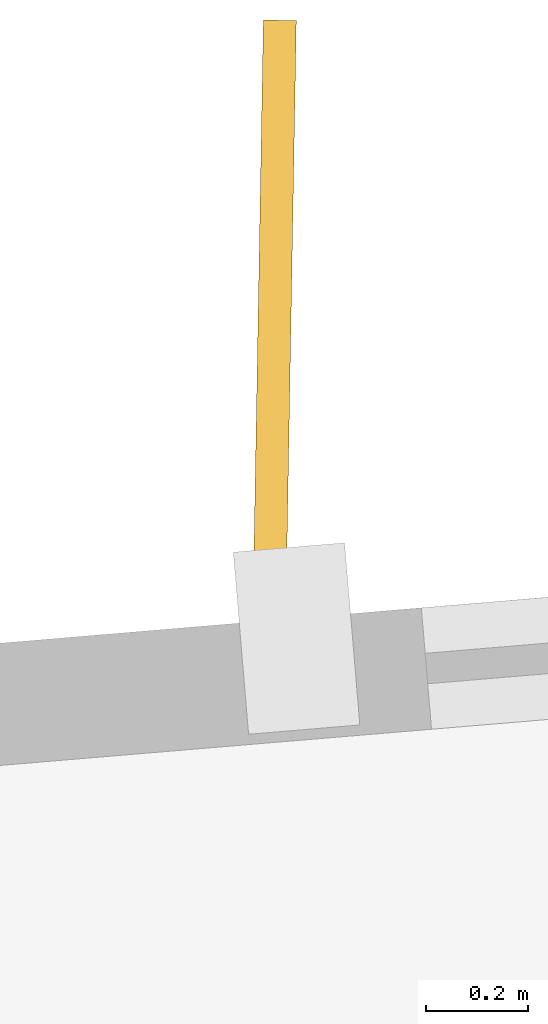
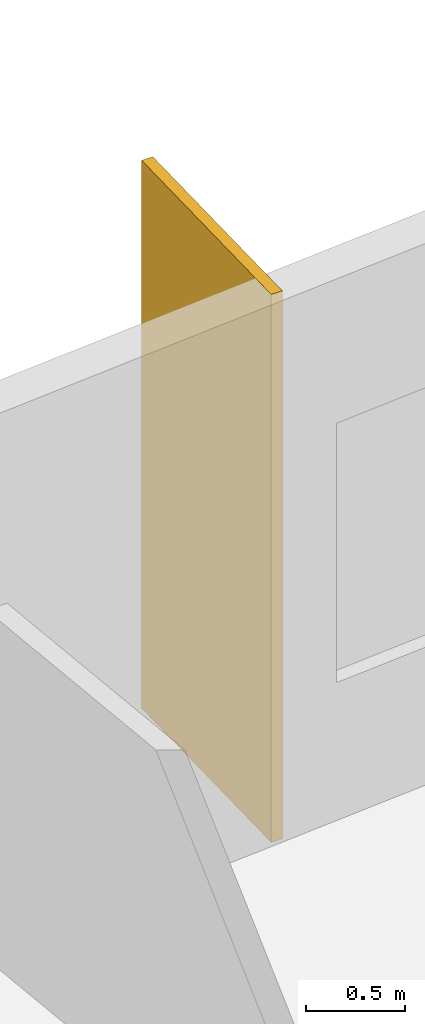
# One storey, part 11 of 11: 1 shading device.
"""IFC4 building model written with IfcOpenShell, lengths in metres."""

from ifc_helpers import new_model, si_unit, direction, frame, origin, origin_2d, place, context, subcontext, project, spatial, rectangle, extrude, material, layer, layer_set, type_object, element, save


model = new_model("IFC4")

# Units and contexts
model_context = context("Model", 3, precision=1e-05, world=origin(), true_north=direction((0.0, 1.0)))
body_context = subcontext(model_context, "Body", "Model", "MODEL_VIEW")
ifc_project = project(units=[si_unit("LENGTHUNIT", "METRE"), si_unit("AREAUNIT", "SQUARE_METRE"), si_unit("VOLUMEUNIT", "CUBIC_METRE"), si_unit("PLANEANGLEUNIT", "RADIAN"), si_unit("MASSUNIT", "GRAM", prefix="KILO")], contexts=[model_context])

# Site, building, storey
site_placement = place(None, origin())
site = spatial("IfcSite", under=ifc_project, at=site_placement, CompositionType="ELEMENT")
building_placement = place(site_placement, origin())
building = spatial("IfcBuilding", under=site, at=building_placement, Name="Solmarez Civic Tower", CompositionType="ELEMENT")
storey_placement = place(building_placement, frame((0.0, 0.0, 64.080078125)))
storey = spatial("IfcBuildingStorey", under=building, at=storey_placement, Name="L16", CompositionType="ELEMENT", Elevation=64.080078125)

# Shading device
ifc_material = material(Name="Bronze Anodised Aluminium EN AW-6063 T6", Category="aluminium")
ifc_layer = layer(ifc_material, 0.06494140625)
ifc_layer_set = layer_set([ifc_layer], Name="Bronze Anodised Aluminium EN AW-6063 T6")
shading_device_type = type_object("IfcShadingDeviceType", Name="FIN-BRONZE-Z12", PredefinedType="USERDEFINED", material=ifc_layer_set)
shading_device_placement = place(storey_placement, frame((-0.419921875, 29.97509765625, -0.0400390625), z_axis=(0.0, 0.0, 1.0), x_axis=(0.017714165351, 0.999843091863, 0.0)))
element("IfcShadingDevice", 1, at=shading_device_placement, inside=storey, type_object=shading_device_type, Name="L16 Anodised Bronze Solar Fin FIN-L16-04", ObjectType="FIN", PredefinedType="USERDEFINED", context=body_context, shape_type="SweptSolid", body=[
    extrude(rectangle(XDim=1.35009765625, YDim=0.06494140625, at=origin_2d()), origin(), (0.0, 0.0, 1.0), 3.3798828125),
])

save(model, "model.ifc")
